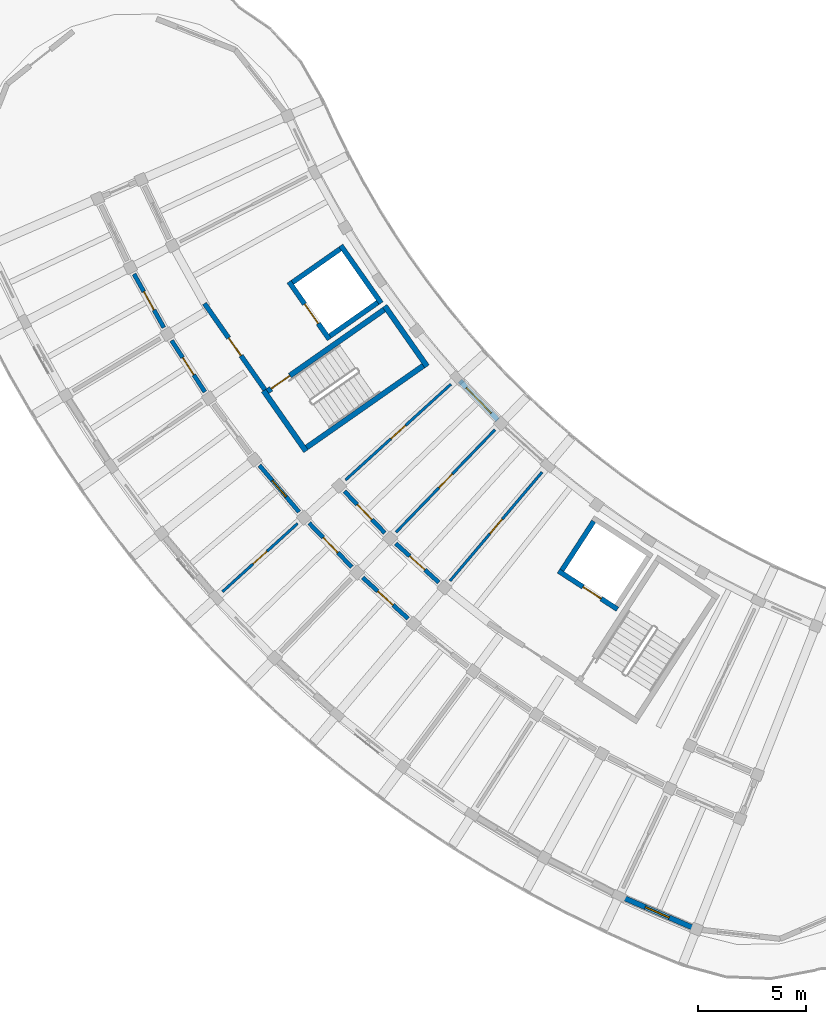
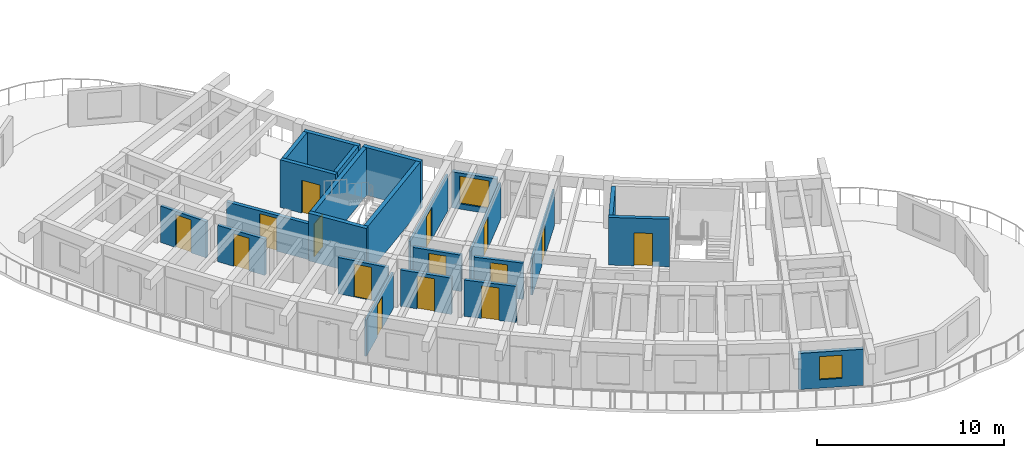
# One storey, part 23 of 56: 24 walls, 15 doors, 2 windows, 17 openings.
"""IFC4 building model written with IfcOpenShell, lengths in metres."""

from ifc_helpers import new_model, si_unit, direction, frame, frame_2d, origin, place, context, subcontext, project, spatial, rectangle, extrude, material, layer, layer_set, type_object, element, fill, save


model = new_model("IFC4")

# Units and contexts
model_context = context("Model", 3, precision=1e-05, world=origin(), true_north=direction((0.0, 1.0)))
body_context = subcontext(model_context, "Body", "Model", "MODEL_VIEW")
ifc_project = project(units=[si_unit("LENGTHUNIT", "METRE"), si_unit("AREAUNIT", "SQUARE_METRE"), si_unit("VOLUMEUNIT", "CUBIC_METRE"), si_unit("PLANEANGLEUNIT", "RADIAN"), si_unit("MASSUNIT", "GRAM", prefix="KILO")], contexts=[model_context])

# Site, building, storey
site_placement = place(None, origin())
site = spatial("IfcSite", under=ifc_project, at=site_placement, CompositionType="ELEMENT")
building_placement = place(site_placement, origin())
building = spatial("IfcBuilding", under=site, at=building_placement, Name="Tanwirah Colonnade Gardens", CompositionType="ELEMENT")
storey_placement = place(building_placement, frame((0.0, 0.0, 29.0)))
storey = spatial("IfcBuildingStorey", under=building, at=storey_placement, Name="L08", CompositionType="ELEMENT", Elevation=29.0)

# Wall, opening, window
ifc_material_1 = material(Name="Limestone architectural precast concrete C40/50", Category="masonry")
ifc_layer_1 = layer(ifc_material_1, 0.2451171875)
ifc_layer_set_1 = layer_set([ifc_layer_1], Name="Limestone architectural precast concrete C40/50")
wall_type_1 = type_object("IfcWallType", Name="EW-PC245", PredefinedType="SOLIDWALL", material=ifc_layer_set_1)
wall_1_placement = place(storey_placement, frame((32.212158203125, 34.494873046875, 0.0), z_axis=(0.0, 0.0, 1.0), x_axis=(0.696216978746, -0.717831399777, 0.0)))
wall_1 = element("IfcWall", 1, at=wall_1_placement, inside=storey, type_object=wall_type_1, Name="Block C L08 IN Precast Facade Wall 7", PredefinedType="SOLIDWALL", context=body_context, shape_type="SweptSolid", body=[
    extrude(rectangle(XDim=2.518798828125, YDim=0.2451171875, at=frame_2d((1.25927734375, 0.0))), origin(), (0.0, 0.0, 1.0), 2.35498046875),
])
opening_1_placement = place(wall_1_placement, frame((0.434326171875, 0.0, 0.35009765625)))
opening_1 = element("IfcOpeningElement", 2, at=opening_1_placement, cuts=wall_1, Name="Opening WIN-T11", PredefinedType="OPENING", context=body_context, shape_type="SweptSolid", body=[
    extrude(rectangle(XDim=1.64990234375, YDim=1.800048828125, at=frame_2d((0.824951171875, 0.89990234375))), frame((0.0, 0.132568359375, 0.0), z_axis=(0.0, -1.0, 0.0), x_axis=(1.0, 0.0, 0.0)), (0.0, 0.0, 1.0), 0.26513671875),
])
ifc_material_2 = material(Name="Thermally broken bronze aluminium and solar low-E double glazing", Category="aluminium")
window_type_1 = type_object("IfcWindowType", Name="WIN-T11", PartitioningType="DOUBLE_PANEL_VERTICAL", PredefinedType="WINDOW", material=ifc_material_2)
window_1_placement = place(opening_1_placement, origin())
window_1 = element("IfcWindow", 3, at=window_1_placement, inside=storey, type_object=window_type_1, Name="Facade window C-L08-IN-07", OverallHeight=1.800048828125, OverallWidth=1.64990234375, PartitioningType="SINGLE_PANEL", PredefinedType="WINDOW", context=body_context, shape_type="SweptSolid", body=[
    extrude(rectangle(XDim=1.64990234375, YDim=1.800048828125, at=frame_2d((0.824951171875, 0.89990234375))), frame((0.0, 0.030029296875, 0.0), z_axis=(0.0, -1.0, 0.0), x_axis=(1.0, 0.0, 0.0)), (0.0, 0.0, 1.0), 0.06005859375),
])
fill(opening_1, window_1)

wall_2_placement = place(storey_placement, frame((39.749267578125, 10.57421875, 0.0), z_axis=(0.0, 0.0, 1.0), x_axis=(0.917923514364, -0.396757384024, 0.0)))
wall_2 = element("IfcWall", 4, at=wall_2_placement, inside=storey, type_object=wall_type_1, Name="Block C L08 OUT Precast Facade Wall 13", PredefinedType="SOLIDWALL", context=body_context, shape_type="SweptSolid", body=[
    extrude(rectangle(XDim=3.5068359375, YDim=0.2451171875, at=frame_2d((1.75341796875, 0.0))), origin(), (0.0, 0.0, 1.0), 2.35498046875),
])
opening_2_placement = place(wall_2_placement, frame((1.1533203125, 0.0, 0.550048828125)))
opening_2 = element("IfcOpeningElement", 5, at=opening_2_placement, cuts=wall_2, Name="Opening WIN-U02", PredefinedType="OPENING", context=body_context, shape_type="SweptSolid", body=[
    extrude(rectangle(XDim=1.199951171875, YDim=1.510009765625, at=frame_2d((0.60009765625, 0.7548828125))), frame((0.0, 0.132568359375, 0.0), z_axis=(0.0, -1.0, 0.0), x_axis=(1.0, 0.0, 0.0)), (0.0, 0.0, 1.0), 0.26513671875),
])
window_type_2 = type_object("IfcWindowType", Name="WIN-U02", PartitioningType="DOUBLE_PANEL_VERTICAL", PredefinedType="WINDOW", material=ifc_material_2)
window_2_placement = place(opening_2_placement, origin())
window_2 = element("IfcWindow", 6, at=window_2_placement, inside=storey, type_object=window_type_2, Name="Facade window C-L08-OUT-13", OverallHeight=1.510009765625, OverallWidth=1.199951171875, PartitioningType="SINGLE_PANEL", PredefinedType="WINDOW", context=body_context, shape_type="SweptSolid", body=[
    extrude(rectangle(XDim=1.199951171875, YDim=1.510009765625, at=frame_2d((0.60009765625, 0.7548828125))), frame((0.0, 0.030029296875, 0.0), z_axis=(0.0, -1.0, 0.0), x_axis=(1.0, 0.0, 0.0)), (0.0, 0.0, 1.0), 0.06005859375),
])
fill(opening_2, window_2)

# Wall, opening, door
ifc_material_3 = material(Name="Precast concrete C40/50", Category="concrete")
ifc_layer_2 = layer(ifc_material_3, 0.195068359375)
ifc_layer_set_2 = layer_set([ifc_layer_2], Name="Precast concrete C40/50")
wall_type_2 = type_object("IfcWallType", Name="IW-CORR195", PredefinedType="PARTITIONING", material=ifc_layer_set_2)
wall_3_placement = place(storey_placement, frame((17.118896484375, 39.4462890625, 0.0), z_axis=(0.0, 0.0, 1.0), x_axis=(0.48673124079, -0.8735517725, 0.0)))
wall_3 = element("IfcWall", 7, at=wall_3_placement, inside=storey, type_object=wall_type_2, Name="Block C L08 OUT Corridor Wall 3", PredefinedType="PARTITIONING", context=body_context, shape_type="SweptSolid", body=[
    extrude(rectangle(XDim=2.8369140625, YDim=0.195068359375, at=frame_2d((1.41845703125, 0.0))), origin(), (0.0, 0.0, 1.0), 2.3701171875),
])
opening_3_placement = place(wall_3_placement, frame((0.93359375, 0.0, 0.0)))
opening_3 = element("IfcOpeningElement", 8, at=opening_3_placement, cuts=wall_3, Name="Opening L08-AD1578", PredefinedType="OPENING", context=body_context, shape_type="SweptSolid", body=[
    extrude(rectangle(XDim=0.969970703125, YDim=2.14990234375, at=frame_2d((0.48486328125, 1.074951171875))), frame((0.0, 0.107421875, 0.0), z_axis=(0.0, -1.0, 0.0), x_axis=(1.0, 0.0, 0.0)), (0.0, 0.0, 1.0), 0.215087890625),
])
ifc_material_4 = material(Name="Solid oak fire-resisting apartment entrance door")
door_type_1 = type_object("IfcDoorType", Name="ID-FLT097", OperationType="NOTDEFINED", PredefinedType="DOOR", material=ifc_material_4)
door_1_placement = place(opening_3_placement, origin())
door_1 = element("IfcDoor", 9, at=door_1_placement, inside=storey, type_object=door_type_1, Name="Apartment corridor door L08-AD1578", OperationType="SINGLE_SWING_RIGHT", OverallHeight=2.14990234375, OverallWidth=0.969970703125, PredefinedType="DOOR", context=body_context, shape_type="SweptSolid", body=[
    extrude(rectangle(XDim=0.969970703125, YDim=2.14990234375, at=frame_2d((0.48486328125, 1.074951171875))), frame((0.0, 0.02490234375, 0.0), z_axis=(0.0, -1.0, 0.0), x_axis=(1.0, 0.0, 0.0)), (0.0, 0.0, 1.0), 0.050048828125),
])
fill(opening_3, door_1)

wall_4_placement = place(storey_placement, frame((18.860107421875, 36.3681640625, 0.0), z_axis=(0.0, 0.0, 1.0), x_axis=(0.542787304957, -0.83987019329, 0.0)))
wall_4 = element("IfcWall", 10, at=wall_4_placement, inside=storey, type_object=wall_type_2, Name="Block C L08 OUT Corridor Wall 4", PredefinedType="PARTITIONING", context=body_context, shape_type="SweptSolid", body=[
    extrude(rectangle(XDim=2.8369140625, YDim=0.195068359375, at=frame_2d((1.41845703125, 0.0))), origin(), (0.0, 0.0, 1.0), 2.3701171875),
])
opening_4_placement = place(wall_4_placement, frame((0.943603515625, 0.0, 0.0)))
opening_4 = element("IfcOpeningElement", 11, at=opening_4_placement, cuts=wall_4, Name="Opening L08-AD1579", PredefinedType="OPENING", context=body_context, shape_type="SweptSolid", body=[
    extrude(rectangle(XDim=0.949951171875, YDim=2.1298828125, at=frame_2d((0.47509765625, 1.06494140625))), frame((0.0, 0.107421875, 0.0), z_axis=(0.0, -1.0, 0.0), x_axis=(1.0, 0.0, 0.0)), (0.0, 0.0, 1.0), 0.215087890625),
])
door_type_2 = type_object("IfcDoorType", Name="ID-FLT095", OperationType="NOTDEFINED", PredefinedType="DOOR", material=ifc_material_4)
door_2_placement = place(opening_4_placement, origin())
door_2 = element("IfcDoor", 12, at=door_2_placement, inside=storey, type_object=door_type_2, Name="Apartment corridor door L08-AD1579", OperationType="SINGLE_SWING_LEFT", OverallHeight=2.1298828125, OverallWidth=0.949951171875, PredefinedType="DOOR", context=body_context, shape_type="SweptSolid", body=[
    extrude(rectangle(XDim=0.949951171875, YDim=2.1298828125, at=frame_2d((0.47509765625, 1.06494140625))), frame((0.0, 0.02490234375, 0.0), z_axis=(0.0, -1.0, 0.0), x_axis=(1.0, 0.0, 0.0)), (0.0, 0.0, 1.0), 0.050048828125),
])
fill(opening_4, door_2)

wall_5_placement = place(storey_placement, frame((22.9267578125, 30.58642578125, 0.0), z_axis=(0.0, 0.0, 1.0), x_axis=(0.64778830669, -0.761820392032, 0.0)))
wall_5 = element("IfcWall", 13, at=wall_5_placement, inside=storey, type_object=wall_type_2, Name="Block C L08 OUT Corridor Wall 6", PredefinedType="PARTITIONING", context=body_context, shape_type="SweptSolid", body=[
    extrude(rectangle(XDim=2.8369140625, YDim=0.195068359375, at=frame_2d((1.41845703125, 0.0))), origin(), (0.0, 0.0, 1.0), 2.3701171875),
])
opening_5_placement = place(wall_5_placement, frame((0.923583984375, 0.0, 0.0)))
opening_5 = element("IfcOpeningElement", 14, at=opening_5_placement, cuts=wall_5, Name="Opening L08-AD1582", PredefinedType="OPENING", context=body_context, shape_type="SweptSolid", body=[
    extrude(rectangle(XDim=0.989990234375, YDim=2.159912109375, at=frame_2d((0.4951171875, 1.080078125))), frame((0.0, 0.107421875, 0.0), z_axis=(0.0, -1.0, 0.0), x_axis=(1.0, 0.0, 0.0)), (0.0, 0.0, 1.0), 0.215087890625),
])
door_type_3 = type_object("IfcDoorType", Name="ID-FLT099", OperationType="NOTDEFINED", PredefinedType="DOOR", material=ifc_material_4)
door_3_placement = place(opening_5_placement, origin())
door_3 = element("IfcDoor", 15, at=door_3_placement, inside=storey, type_object=door_type_3, Name="Apartment corridor door L08-AD1582", OperationType="SINGLE_SWING_LEFT", OverallHeight=2.159912109375, OverallWidth=0.989990234375, PredefinedType="DOOR", context=body_context, shape_type="SweptSolid", body=[
    extrude(rectangle(XDim=0.989990234375, YDim=2.159912109375, at=frame_2d((0.4951171875, 1.080078125))), frame((0.0, 0.02490234375, 0.0), z_axis=(0.0, -1.0, 0.0), x_axis=(1.0, 0.0, 0.0)), (0.0, 0.0, 1.0), 0.050048828125),
])
fill(opening_5, door_3)

wall_6_placement = place(storey_placement, frame((25.23486328125, 27.9072265625, 0.0), z_axis=(0.0, 0.0, 1.0), x_axis=(0.696223786753, -0.717824796701, 0.0)))
wall_6 = element("IfcWall", 16, at=wall_6_placement, inside=storey, type_object=wall_type_2, Name="Block C L08 OUT Corridor Wall 7", PredefinedType="PARTITIONING", context=body_context, shape_type="SweptSolid", body=[
    extrude(rectangle(XDim=2.8369140625, YDim=0.195068359375, at=frame_2d((1.41845703125, 0.0))), origin(), (0.0, 0.0, 1.0), 2.3701171875),
])
opening_6_placement = place(wall_6_placement, frame((0.93359375, 0.0, 0.0)))
opening_6 = element("IfcOpeningElement", 17, at=opening_6_placement, cuts=wall_6, Name="Opening L08-AD1585", PredefinedType="OPENING", context=body_context, shape_type="SweptSolid", body=[
    extrude(rectangle(XDim=0.969970703125, YDim=2.14990234375, at=frame_2d((0.48486328125, 1.074951171875))), frame((0.0, 0.107421875, 0.0), z_axis=(0.0, -1.0, 0.0), x_axis=(1.0, 0.0, 0.0)), (0.0, 0.0, 1.0), 0.215087890625),
])
door_4_placement = place(opening_6_placement, origin())
door_4 = element("IfcDoor", 18, at=door_4_placement, inside=storey, type_object=door_type_1, Name="Apartment corridor door L08-AD1585", OperationType="SINGLE_SWING_RIGHT", OverallHeight=2.14990234375, OverallWidth=0.969970703125, PredefinedType="DOOR", context=body_context, shape_type="SweptSolid", body=[
    extrude(rectangle(XDim=0.969970703125, YDim=2.14990234375, at=frame_2d((0.48486328125, 1.074951171875))), frame((0.0, 0.02490234375, 0.0), z_axis=(0.0, -1.0, 0.0), x_axis=(1.0, 0.0, 0.0)), (0.0, 0.0, 1.0), 0.050048828125),
])
fill(opening_6, door_4)

wall_7_placement = place(storey_placement, frame((26.86328125, 29.386474609375, 0.0), z_axis=(0.0, 0.0, 1.0), x_axis=(0.696236443412, -0.717812520694, 0.0)))
wall_7 = element("IfcWall", 19, at=wall_7_placement, inside=storey, type_object=wall_type_2, Name="Block C L08 IN Corridor Wall 7", PredefinedType="PARTITIONING", context=body_context, shape_type="SweptSolid", body=[
    extrude(rectangle(XDim=2.693115234375, YDim=0.195068359375, at=frame_2d((1.3466796875, 0.0))), origin(), (0.0, 0.0, 1.0), 2.3701171875),
])
opening_7_placement = place(wall_7_placement, frame((0.861572265625, 0.0, 0.0)))
opening_7 = element("IfcOpeningElement", 20, at=opening_7_placement, cuts=wall_7, Name="Opening L08-AD1586", PredefinedType="OPENING", context=body_context, shape_type="SweptSolid", body=[
    extrude(rectangle(XDim=0.969970703125, YDim=2.14990234375, at=frame_2d((0.48486328125, 1.074951171875))), frame((0.0, 0.107421875, 0.0), z_axis=(0.0, -1.0, 0.0), x_axis=(1.0, 0.0, 0.0)), (0.0, 0.0, 1.0), 0.215087890625),
])
door_5_placement = place(opening_7_placement, origin())
door_5 = element("IfcDoor", 21, at=door_5_placement, inside=storey, type_object=door_type_1, Name="Apartment corridor door L08-AD1586", OperationType="SINGLE_SWING_LEFT", OverallHeight=2.14990234375, OverallWidth=0.969970703125, PredefinedType="DOOR", context=body_context, shape_type="SweptSolid", body=[
    extrude(rectangle(XDim=0.969970703125, YDim=2.14990234375, at=frame_2d((0.48486328125, 1.074951171875))), frame((0.0, 0.02490234375, 0.0), z_axis=(0.0, -1.0, 0.0), x_axis=(1.0, 0.0, 0.0)), (0.0, 0.0, 1.0), 0.050048828125),
])
fill(opening_7, door_5)

wall_8_placement = place(storey_placement, frame((27.71337890625, 25.385009765625, 0.0), z_axis=(0.0, 0.0, 1.0), x_axis=(0.741631592147, -0.670807410163, 0.0)))
wall_8 = element("IfcWall", 22, at=wall_8_placement, inside=storey, type_object=wall_type_2, Name="Block C L08 OUT Corridor Wall 8", PredefinedType="PARTITIONING", context=body_context, shape_type="SweptSolid", body=[
    extrude(rectangle(XDim=2.8369140625, YDim=0.195068359375, at=frame_2d((1.41845703125, 0.0))), origin(), (0.0, 0.0, 1.0), 2.3701171875),
])
opening_8_placement = place(wall_8_placement, frame((0.943603515625, 0.0, 0.0)))
opening_8 = element("IfcOpeningElement", 23, at=opening_8_placement, cuts=wall_8, Name="Opening L08-AD1588", PredefinedType="OPENING", context=body_context, shape_type="SweptSolid", body=[
    extrude(rectangle(XDim=0.949951171875, YDim=2.1298828125, at=frame_2d((0.47509765625, 1.06494140625))), frame((0.0, 0.107421875, 0.0), z_axis=(0.0, -1.0, 0.0), x_axis=(1.0, 0.0, 0.0)), (0.0, 0.0, 1.0), 0.215087890625),
])
door_6_placement = place(opening_8_placement, origin())
door_6 = element("IfcDoor", 24, at=door_6_placement, inside=storey, type_object=door_type_2, Name="Apartment corridor door L08-AD1588", OperationType="SINGLE_SWING_LEFT", OverallHeight=2.1298828125, OverallWidth=0.949951171875, PredefinedType="DOOR", context=body_context, shape_type="SweptSolid", body=[
    extrude(rectangle(XDim=0.949951171875, YDim=2.1298828125, at=frame_2d((0.47509765625, 1.06494140625))), frame((0.0, 0.02490234375, 0.0), z_axis=(0.0, -1.0, 0.0), x_axis=(1.0, 0.0, 0.0)), (0.0, 0.0, 1.0), 0.050048828125),
])
fill(opening_8, door_6)

wall_9_placement = place(storey_placement, frame((29.241455078125, 26.967529296875, 0.0), z_axis=(0.0, 0.0, 1.0), x_axis=(0.74166462946, -0.670770882945, 0.0)))
wall_9 = element("IfcWall", 25, at=wall_9_placement, inside=storey, type_object=wall_type_2, Name="Block C L08 IN Corridor Wall 8", PredefinedType="PARTITIONING", context=body_context, shape_type="SweptSolid", body=[
    extrude(rectangle(XDim=2.693115234375, YDim=0.195068359375, at=frame_2d((1.3466796875, 0.0))), origin(), (0.0, 0.0, 1.0), 2.3701171875),
])
opening_9_placement = place(wall_9_placement, frame((0.87158203125, 0.0, 0.0)))
opening_9 = element("IfcOpeningElement", 26, at=opening_9_placement, cuts=wall_9, Name="Opening L08-AD1589", PredefinedType="OPENING", context=body_context, shape_type="SweptSolid", body=[
    extrude(rectangle(XDim=0.949951171875, YDim=2.1298828125, at=frame_2d((0.47509765625, 1.06494140625))), frame((0.0, 0.107421875, 0.0), z_axis=(0.0, -1.0, 0.0), x_axis=(1.0, 0.0, 0.0)), (0.0, 0.0, 1.0), 0.215087890625),
])
door_7_placement = place(opening_9_placement, origin())
door_7 = element("IfcDoor", 27, at=door_7_placement, inside=storey, type_object=door_type_2, Name="Apartment corridor door L08-AD1589", OperationType="SINGLE_SWING_RIGHT", OverallHeight=2.1298828125, OverallWidth=0.949951171875, PredefinedType="DOOR", context=body_context, shape_type="SweptSolid", body=[
    extrude(rectangle(XDim=0.949951171875, YDim=2.1298828125, at=frame_2d((0.47509765625, 1.06494140625))), frame((0.0, 0.02490234375, 0.0), z_axis=(0.0, -1.0, 0.0), x_axis=(1.0, 0.0, 0.0)), (0.0, 0.0, 1.0), 0.050048828125),
])
fill(opening_9, door_7)

ifc_material_5 = material(Name="Autoclaved aerated masonry blockwork", Category="masonry")
ifc_layer_3 = layer(ifc_material_5, 0.219970703125)
ifc_layer_set_3 = layer_set([ifc_layer_3], Name="Autoclaved aerated masonry blockwork")
wall_type_3 = type_object("IfcWallType", Name="IW-FFL220", PredefinedType="PARTITIONING", material=ifc_layer_set_3)
wall_10_placement = place(storey_placement, frame((23.19482421875, 34.06787109375, 0.0), z_axis=(0.0, 0.0, 1.0), x_axis=(-0.573572687386, 0.819154669329, 0.0)))
wall_10 = element("IfcWall", 28, at=wall_10_placement, inside=storey, type_object=wall_type_3, Name="CORE-C1 L08 Enclosed Lobby Fire Wall", PredefinedType="PARTITIONING", context=body_context, shape_type="SweptSolid", body=[
    extrude(rectangle(XDim=4.900146484375, YDim=0.219970703125, at=frame_2d((2.4501953125, 0.0))), origin(), (0.0, 0.0, 1.0), 2.340087890625),
])
opening_10_placement = place(wall_10_placement, frame((1.949951171875, 0.0, 0.0)))
opening_10 = element("IfcOpeningElement", 29, at=opening_10_placement, cuts=wall_10, Name="Opening L08-LD142", PredefinedType="OPENING", context=body_context, shape_type="SweptSolid", body=[
    extrude(rectangle(XDim=1.0, YDim=2.14990234375, at=frame_2d((0.5, 1.074951171875))), frame((0.0, 0.119873046875, 0.0), z_axis=(0.0, -1.0, 0.0), x_axis=(1.0, 0.0, 0.0)), (0.0, 0.0, 1.0), 0.239990234375),
])
ifc_material_6 = material(Name="Acoustic fire-resisting lobby door")
door_type_4 = type_object("IfcDoorType", Name="ID-FFL100", OperationType="NOTDEFINED", PredefinedType="DOOR", material=ifc_material_6)
door_8_placement = place(opening_10_placement, origin())
door_8 = element("IfcDoor", 30, at=door_8_placement, inside=storey, type_object=door_type_4, Name="CORE-C1 L08 Lobby Fire Door L08-LD142", OperationType="SINGLE_SWING_LEFT", OverallHeight=2.14990234375, OverallWidth=1.0, PredefinedType="DOOR", context=body_context, shape_type="SweptSolid", body=[
    extrude(rectangle(XDim=1.0, YDim=2.14990234375, at=frame_2d((0.5, 1.074951171875))), frame((0.0, 0.02490234375, 0.0), z_axis=(0.0, -1.0, 0.0), x_axis=(1.0, 0.0, 0.0)), (0.0, 0.0, 1.0), 0.050048828125),
])
fill(opening_10, door_8)

ifc_material_7 = material(Name="Moisture-resistant gypsum stud partition")
ifc_layer_4 = layer(ifc_material_7, 0.125)
ifc_layer_set_4 = layer_set([ifc_layer_4], Name="Moisture-resistant gypsum stud partition")
wall_type_4 = type_object("IfcWallType", Name="IW-INT125", PredefinedType="PARTITIONING", material=ifc_layer_set_4)
wall_11_placement = place(storey_placement, frame((24.695068359375, 27.8896484375, 0.0), z_axis=(0.0, 0.0, 1.0), x_axis=(-0.740212663782, -0.672372822456, 0.0)))
wall_11 = element("IfcWall", 31, at=wall_11_placement, inside=storey, type_object=wall_type_4, Name="Block C L08 Radial Partition 6", PredefinedType="PARTITIONING", context=body_context, shape_type="SweptSolid", body=[
    extrude(rectangle(XDim=4.699951171875, YDim=0.125, at=frame_2d((2.35009765625, 0.0))), origin(), (0.0, 0.0, 1.0), 2.3701171875),
])
opening_11_placement = place(wall_11_placement, frame((1.9150390625, 0.0, 0.0)))
opening_11 = element("IfcOpeningElement", 32, at=opening_11_placement, cuts=wall_11, Name="Opening L08-RD1583", PredefinedType="OPENING", context=body_context, shape_type="SweptSolid", body=[
    extrude(rectangle(XDim=0.8701171875, YDim=2.080078125, at=frame_2d((0.43505859375, 1.0400390625))), frame((0.0, 0.072509765625, 0.0), z_axis=(0.0, -1.0, 0.0), x_axis=(1.0, 0.0, 0.0)), (0.0, 0.0, 1.0), 0.14501953125),
])
ifc_material_8 = material(Name="Painted hardwood study door", Category="wood")
door_type_5 = type_object("IfcDoorType", Name="ID-RM087", OperationType="NOTDEFINED", PredefinedType="DOOR", material=ifc_material_8)
door_9_placement = place(opening_11_placement, origin())
door_9 = element("IfcDoor", 33, at=door_9_placement, inside=storey, type_object=door_type_5, Name="Internal apartment door L08-RD1583", OperationType="SINGLE_SWING_LEFT", OverallHeight=2.080078125, OverallWidth=0.8701171875, PredefinedType="DOOR", context=body_context, shape_type="SweptSolid", body=[
    extrude(rectangle(XDim=0.8701171875, YDim=2.080078125, at=frame_2d((0.43505859375, 1.0400390625))), frame((0.0, 0.02490234375, 0.0), z_axis=(0.0, -1.0, 0.0), x_axis=(1.0, 0.0, 0.0)), (0.0, 0.0, 1.0), 0.050048828125),
])
fill(opening_11, door_9)

wall_12_placement = place(storey_placement, frame((31.80126953125, 34.34423828125, 0.0), z_axis=(0.0, 0.0, 1.0), x_axis=(-0.74023124711, -0.672352363573, 0.0)))
wall_12 = element("IfcWall", 34, at=wall_12_placement, inside=storey, type_object=wall_type_4, Name="Block C L08 Inner Radial Partition 6", PredefinedType="PARTITIONING", context=body_context, shape_type="SweptSolid", body=[
    extrude(rectangle(XDim=6.599853515625, YDim=0.125, at=frame_2d((3.2998046875, 0.0))), origin(), (0.0, 0.0, 1.0), 2.3701171875),
])
opening_12_placement = place(wall_12_placement, frame((2.844970703125, 0.0, 0.0)))
opening_12 = element("IfcOpeningElement", 35, at=opening_12_placement, cuts=wall_12, Name="Opening L08-RD1584", PredefinedType="OPENING", context=body_context, shape_type="SweptSolid", body=[
    extrude(rectangle(XDim=0.909912109375, YDim=2.10009765625, at=frame_2d((0.455078125, 1.050048828125))), frame((0.0, 0.072509765625, 0.0), z_axis=(0.0, -1.0, 0.0), x_axis=(1.0, 0.0, 0.0)), (0.0, 0.0, 1.0), 0.14501953125),
])
ifc_material_9 = material(Name="Painted hardwood internal room door", Category="wood")
door_type_6 = type_object("IfcDoorType", Name="ID-RM091", OperationType="NOTDEFINED", PredefinedType="DOOR", material=ifc_material_9)
door_10_placement = place(opening_12_placement, origin())
door_10 = element("IfcDoor", 36, at=door_10_placement, inside=storey, type_object=door_type_6, Name="Internal apartment door L08-RD1584", OperationType="SINGLE_SWING_RIGHT", OverallHeight=2.10009765625, OverallWidth=0.909912109375, PredefinedType="DOOR", context=body_context, shape_type="SweptSolid", body=[
    extrude(rectangle(XDim=0.909912109375, YDim=2.10009765625, at=frame_2d((0.455078125, 1.050048828125))), frame((0.0, 0.02490234375, 0.0), z_axis=(0.0, -1.0, 0.0), x_axis=(1.0, 0.0, 0.0)), (0.0, 0.0, 1.0), 0.050048828125),
])
fill(opening_12, door_10)

wall_13_placement = place(storey_placement, frame((33.844482421875, 32.237548828125, 0.0), z_axis=(0.0, 0.0, 1.0), x_axis=(-0.69466250658, -0.71933580611, 0.0)))
wall_13 = element("IfcWall", 37, at=wall_13_placement, inside=storey, type_object=wall_type_4, Name="Block C L08 Inner Radial Partition 7", PredefinedType="PARTITIONING", context=body_context, shape_type="SweptSolid", body=[
    extrude(rectangle(XDim=6.599853515625, YDim=0.125, at=frame_2d((3.2998046875, 0.0))), origin(), (0.0, 0.0, 1.0), 2.3701171875),
])
opening_13_placement = place(wall_13_placement, frame((2.85498046875, 0.0, 0.0)))
opening_13 = element("IfcOpeningElement", 38, at=opening_13_placement, cuts=wall_13, Name="Opening L08-RD1587", PredefinedType="OPENING", context=body_context, shape_type="SweptSolid", body=[
    extrude(rectangle(XDim=0.889892578125, YDim=2.10009765625, at=frame_2d((0.44482421875, 1.050048828125))), frame((0.0, 0.072509765625, 0.0), z_axis=(0.0, -1.0, 0.0), x_axis=(1.0, 0.0, 0.0)), (0.0, 0.0, 1.0), 0.14501953125),
])
ifc_material_10 = material(Name="Painted hardwood bedroom door", Category="wood")
door_type_7 = type_object("IfcDoorType", Name="ID-RM089", OperationType="NOTDEFINED", PredefinedType="DOOR", material=ifc_material_10)
door_11_placement = place(opening_13_placement, origin())
door_11 = element("IfcDoor", 39, at=door_11_placement, inside=storey, type_object=door_type_7, Name="Internal apartment door L08-RD1587", OperationType="SINGLE_SWING_LEFT", OverallHeight=2.10009765625, OverallWidth=0.889892578125, PredefinedType="DOOR", context=body_context, shape_type="SweptSolid", body=[
    extrude(rectangle(XDim=0.889892578125, YDim=2.10009765625, at=frame_2d((0.44482421875, 1.050048828125))), frame((0.0, 0.02490234375, 0.0), z_axis=(0.0, -1.0, 0.0), x_axis=(1.0, 0.0, 0.0)), (0.0, 0.0, 1.0), 0.050048828125),
])
fill(opening_13, door_11)

wall_14_placement = place(storey_placement, frame((36.021240234375, 30.26904296875, 0.0), z_axis=(0.0, 0.0, 1.0), x_axis=(-0.646121311019, -0.763234728932, 0.0)))
wall_14 = element("IfcWall", 40, at=wall_14_placement, inside=storey, type_object=wall_type_4, Name="Block C L08 Inner Radial Partition 8", PredefinedType="PARTITIONING", context=body_context, shape_type="SweptSolid", body=[
    extrude(rectangle(XDim=6.60009765625, YDim=0.125, at=frame_2d((3.300048828125, 0.0))), origin(), (0.0, 0.0, 1.0), 2.3701171875),
])
opening_14_placement = place(wall_14_placement, frame((2.864990234375, 0.0, 0.0)))
opening_14 = element("IfcOpeningElement", 41, at=opening_14_placement, cuts=wall_14, Name="Opening L08-RD1590", PredefinedType="OPENING", context=body_context, shape_type="SweptSolid", body=[
    extrude(rectangle(XDim=0.8701171875, YDim=2.080078125, at=frame_2d((0.43505859375, 1.0400390625))), frame((0.0, 0.072509765625, 0.0), z_axis=(0.0, -1.0, 0.0), x_axis=(1.0, 0.0, 0.0)), (0.0, 0.0, 1.0), 0.14501953125),
])
door_12_placement = place(opening_14_placement, origin())
door_12 = element("IfcDoor", 42, at=door_12_placement, inside=storey, type_object=door_type_5, Name="Internal apartment door L08-RD1590", OperationType="SINGLE_SWING_RIGHT", OverallHeight=2.080078125, OverallWidth=0.8701171875, PredefinedType="DOOR", context=body_context, shape_type="SweptSolid", body=[
    extrude(rectangle(XDim=0.8701171875, YDim=2.080078125, at=frame_2d((0.43505859375, 1.0400390625))), frame((0.0, 0.02490234375, 0.0), z_axis=(0.0, -1.0, 0.0), x_axis=(1.0, 0.0, 0.0)), (0.0, 0.0, 1.0), 0.050048828125),
])
fill(opening_14, door_12)

# Walls
ifc_material_11 = material(Name="Concrete C45/55", Category="concrete")
ifc_layer_5 = layer(ifc_material_11, 0.25)
ifc_layer_set_5 = layer_set([ifc_layer_5], Name="Concrete C45/55")
wall_type_5 = type_object("IfcWallType", Name="SW-CORE250", PredefinedType="SHEAR", material=ifc_layer_set_5)
wall_15_placement = place(storey_placement, frame((25.1142578125, 31.413818359375, 0.0), z_axis=(0.0, 0.0, 1.0), x_axis=(0.819141541656, 0.573591435374, 0.0)))
element("IfcWall", 43, at=wall_15_placement, inside=storey, type_object=wall_type_5, Name="CORE-C1 L08 Stair Shaft Shear Wall LEFT", PredefinedType="SHEAR", context=body_context, shape_type="SweptSolid", body=[
    extrude(rectangle(XDim=6.599853515625, YDim=0.25, at=frame_2d((3.2998046875, 0.0))), origin(), (0.0, 0.0, 1.0), 3.110107421875),
])
for number, where, z_axis, x_axis, name in (
    (44, (30.694580078125, 35.168701171875, 0.0), (0.0, 0.0, 1.0), (-0.573582112484, 0.819148069789, 0.0), "CORE-C1 L08 Stair Shaft Shear Wall FAR"),
    (45, (25.08349609375, 31.23974609375, 0.0), (0.0, 0.0, 1.0), (-0.573582112484, 0.819148069789, 0.0), "CORE-C1 L08 Stair Shaft Shear Wall NEAR"),
):
    element("IfcWall", number, at=place(storey_placement, frame(where, z_axis=z_axis, x_axis=x_axis)), inside=storey, type_object=wall_type_5, Name=name, PredefinedType="SHEAR", context=body_context, shape_type="SweptSolid", body=[
        extrude(rectangle(XDim=3.419921875, YDim=0.25, at=frame_2d((1.7099609375, 0.0))), origin(), (0.0, 0.0, 1.0), 3.110107421875),
    ])

# Wall, opening, door
wall_16_placement = place(storey_placement, frame((23.2958984375, 34.010498046875, 0.0), z_axis=(0.0, 0.0, 1.0), x_axis=(0.819153711596, 0.573574055182, 0.0)))
wall_16 = element("IfcWall", 46, at=wall_16_placement, inside=storey, type_object=wall_type_5, Name="CORE-C1 L08 Stair Shaft Shear Wall RIGHT", PredefinedType="SHEAR", context=body_context, shape_type="SweptSolid", body=[
    extrude(rectangle(XDim=6.60009765625, YDim=0.25, at=frame_2d((3.300048828125, 0.0))), origin(), (0.0, 0.0, 1.0), 3.110107421875),
])
opening_15_placement = place(wall_16_placement, frame((0.219970703125, 0.0, 0.0)))
opening_15 = element("IfcOpeningElement", 47, at=opening_15_placement, cuts=wall_16, Name="Opening L08-SD130", PredefinedType="OPENING", context=body_context, shape_type="SweptSolid", body=[
    extrude(rectangle(XDim=1.050048828125, YDim=2.14990234375, at=frame_2d((0.52490234375, 1.074951171875))), frame((0.0, 0.135009765625, 0.0), z_axis=(0.0, -1.0, 0.0), x_axis=(1.0, 0.0, 0.0)), (0.0, 0.0, 1.0), 0.27001953125),
])
ifc_material_12 = material(Name="Steel fire-resisting stair enclosure door", Category="steel")
door_type_8 = type_object("IfcDoorType", Name="ID-ST105", OperationType="NOTDEFINED", PredefinedType="DOOR", material=ifc_material_12)
door_13_placement = place(opening_15_placement, origin())
door_13 = element("IfcDoor", 48, at=door_13_placement, inside=storey, type_object=door_type_8, Name="CORE-C1 L08 Stair Fire Door L08-SD130", OperationType="SINGLE_SWING_LEFT", OverallHeight=2.14990234375, OverallWidth=1.050048828125, PredefinedType="DOOR", context=body_context, shape_type="SweptSolid", body=[
    extrude(rectangle(XDim=1.050048828125, YDim=2.14990234375, at=frame_2d((0.52490234375, 1.074951171875))), frame((0.0, 0.02490234375, 0.0), z_axis=(0.0, -1.0, 0.0), x_axis=(1.0, 0.0, 0.0)), (0.0, 0.0, 1.0), 0.050048828125),
])
fill(opening_15, door_13)

ifc_layer_6 = layer(ifc_material_11, 0.22998046875)
ifc_layer_set_6 = layer_set([ifc_layer_6], Name="Concrete C45/55")
wall_type_6 = type_object("IfcWallType", Name="SW-LIFT230", PredefinedType="SHEAR", material=ifc_layer_set_6)
wall_17_placement = place(storey_placement, frame((26.1689453125, 36.419189453125, 0.0), z_axis=(0.0, 0.0, 1.0), x_axis=(-0.573582966431, 0.819147471839, 0.0)))
wall_17 = element("IfcWall", 49, at=wall_17_placement, inside=storey, type_object=wall_type_6, Name="CORE-C1 L08 Lift Shaft Wall FRONT", PredefinedType="SHEAR", context=body_context, shape_type="SweptSolid", body=[
    extrude(rectangle(XDim=3.260009765625, YDim=0.22998046875, at=frame_2d((1.6298828125, 0.0))), origin(), (0.0, 0.0, 1.0), 3.110107421875),
])
opening_16_placement = place(wall_17_placement, frame((0.89990234375, 0.0, 0.0)))
opening_16 = element("IfcOpeningElement", 50, at=opening_16_placement, cuts=wall_17, Name="Opening L08-LD-FL-C1", PredefinedType="OPENING", context=body_context, shape_type="SweptSolid", body=[
    extrude(rectangle(XDim=1.10009765625, YDim=2.14990234375, at=frame_2d((0.550048828125, 1.074951171875))), frame((0.0, 0.125, 0.0), z_axis=(0.0, -1.0, 0.0), x_axis=(1.0, 0.0, 0.0)), (0.0, 0.0, 1.0), 0.25),
])
ifc_material_13 = material(Name="Stainless steel sliding fire lift landing door", Category="steel")
door_type_9 = type_object("IfcDoorType", Name="LD-FF11", OperationType="DOUBLE_DOOR_SLIDING", PredefinedType="DOOR", material=ifc_material_13)
door_14_placement = place(opening_16_placement, origin())
door_14 = element("IfcDoor", 51, at=door_14_placement, inside=storey, type_object=door_type_9, Name="Lift FL-C1 L08 Sliding Landing Door", OperationType="DOUBLE_DOOR_SLIDING", OverallHeight=2.14990234375, OverallWidth=1.10009765625, PredefinedType="DOOR", context=body_context, shape_type="SweptSolid", body=[
    extrude(rectangle(XDim=1.10009765625, YDim=2.14990234375, at=frame_2d((0.550048828125, 1.074951171875))), frame((0.0, 0.02490234375, 0.0), z_axis=(0.0, -1.0, 0.0), x_axis=(1.0, 0.0, 0.0)), (0.0, 0.0, 1.0), 0.050048828125),
])
fill(opening_16, door_14)

# Walls
wall_18_placement = place(storey_placement, frame((28.569091796875, 38.099609375, 0.0), z_axis=(0.0, 0.0, 1.0), x_axis=(-0.573582966431, 0.819147471839, 0.0)))
element("IfcWall", 52, at=wall_18_placement, inside=storey, type_object=wall_type_6, Name="CORE-C1 L08 Lift Shaft Wall BACK", PredefinedType="SHEAR", context=body_context, shape_type="SweptSolid", body=[
    extrude(rectangle(XDim=3.260009765625, YDim=0.22998046875, at=frame_2d((1.6298828125, 0.0))), origin(), (0.0, 0.0, 1.0), 3.110107421875),
])
wall_19_placement = place(storey_placement, frame((26.197265625, 36.579345703125, 0.0), z_axis=(0.0, 0.0, 1.0), x_axis=(0.819159695432, 0.573565509231, 0.0)))
element("IfcWall", 53, at=wall_19_placement, inside=storey, type_object=wall_type_6, Name="CORE-C1 L08 Lift Shaft Wall SIDEA", PredefinedType="SHEAR", context=body_context, shape_type="SweptSolid", body=[
    extrude(rectangle(XDim=2.699951171875, YDim=0.22998046875, at=frame_2d((1.35009765625, 0.0))), origin(), (0.0, 0.0, 1.0), 3.110107421875),
])
wall_20_placement = place(storey_placement, frame((24.459228515625, 39.061279296875, 0.0), z_axis=(0.0, 0.0, 1.0), x_axis=(0.819189439894, 0.573523026186, 0.0)))
element("IfcWall", 54, at=wall_20_placement, inside=storey, type_object=wall_type_6, Name="CORE-C1 L08 Lift Shaft Wall SIDEB", PredefinedType="SHEAR", context=body_context, shape_type="SweptSolid", body=[
    extrude(rectangle(XDim=2.7001953125, YDim=0.22998046875, at=frame_2d((1.35009765625, 0.0))), origin(), (0.0, 0.0, 1.0), 3.110107421875),
])

# Wall, opening, door
wall_21_placement = place(storey_placement, frame((39.515869140625, 23.91748046875, 0.0), z_axis=(0.0, 0.0, 1.0), x_axis=(-0.838660840752, 0.544654013286, 0.0)))
wall_21 = element("IfcWall", 55, at=wall_21_placement, inside=storey, type_object=wall_type_6, Name="CORE-C2 L08 Lift Shaft Wall FRONT", PredefinedType="SHEAR", context=body_context, shape_type="SweptSolid", body=[
    extrude(rectangle(XDim=3.260009765625, YDim=0.22998046875, at=frame_2d((1.6298828125, 0.0))), origin(), (0.0, 0.0, 1.0), 3.110107421875),
])
opening_17_placement = place(wall_21_placement, frame((0.89990234375, 0.0, 0.0)))
opening_17 = element("IfcOpeningElement", 56, at=opening_17_placement, cuts=wall_21, Name="Opening L08-LD-PL-C2", PredefinedType="OPENING", context=body_context, shape_type="SweptSolid", body=[
    extrude(rectangle(XDim=1.0, YDim=2.14990234375, at=frame_2d((0.5, 1.074951171875))), frame((0.0, 0.125, 0.0), z_axis=(0.0, -1.0, 0.0), x_axis=(1.0, 0.0, 0.0)), (0.0, 0.0, 1.0), 0.25),
])
ifc_material_14 = material(Name="Bronze stainless steel sliding lift landing door", Category="steel")
door_type_10 = type_object("IfcDoorType", Name="LD-PS10", OperationType="DOUBLE_DOOR_SLIDING", PredefinedType="DOOR", material=ifc_material_14)
door_15_placement = place(opening_17_placement, origin())
door_15 = element("IfcDoor", 57, at=door_15_placement, inside=storey, type_object=door_type_10, Name="Lift PL-C2 L08 Sliding Landing Door", OperationType="DOUBLE_DOOR_SLIDING", OverallHeight=2.14990234375, OverallWidth=1.0, PredefinedType="DOOR", context=body_context, shape_type="SweptSolid", body=[
    extrude(rectangle(XDim=1.0, YDim=2.14990234375, at=frame_2d((0.5, 1.074951171875))), frame((0.0, 0.02490234375, 0.0), z_axis=(0.0, -1.0, 0.0), x_axis=(1.0, 0.0, 0.0)), (0.0, 0.0, 1.0), 0.050048828125),
])
fill(opening_17, door_15)

# Wall
wall_22_placement = place(storey_placement, frame((36.94091796875, 25.726806640625, 0.0), z_axis=(0.0, 0.0, 1.0), x_axis=(0.544622789439, 0.838681117722, 0.0)))
element("IfcWall", 58, at=wall_22_placement, inside=storey, type_object=wall_type_6, Name="CORE-C2 L08 Lift Shaft Wall SIDEB", PredefinedType="SHEAR", context=body_context, shape_type="SweptSolid", body=[
    extrude(rectangle(XDim=2.699951171875, YDim=0.22998046875, at=frame_2d((1.35009765625, 0.0))), origin(), (0.0, 0.0, 1.0), 3.110107421875),
])

save(model, "model.ifc")
